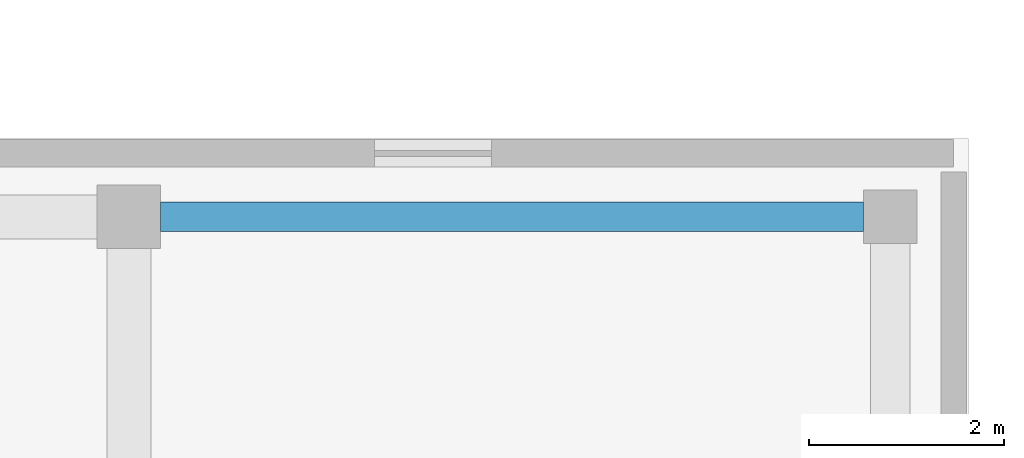
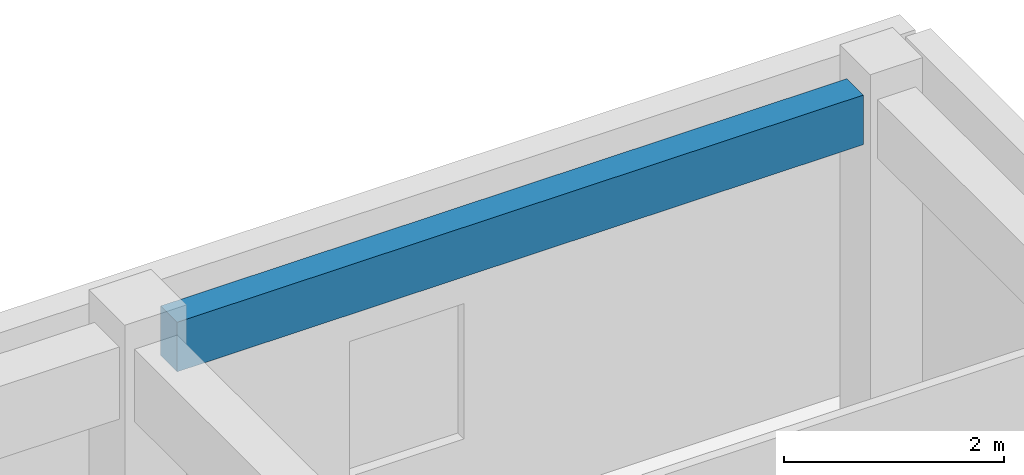
# One storey, part 61 of 146: 1 beam.
"""IFC4 building model written with IfcOpenShell, lengths in metres."""

from ifc_helpers import new_model, si_unit, direction, frame, origin, origin_2d, place, context, subcontext, project, spatial, rectangle, extrude, material, material_profile, profile_set, type_object, element, save


model = new_model("IFC4")

# Units and contexts
model_context = context("Model", 3, precision=1e-05, world=origin(), true_north=direction((0.0, 1.0)))
body_context = subcontext(model_context, "Body", "Model", "MODEL_VIEW")
ifc_project = project(units=[si_unit("LENGTHUNIT", "METRE"), si_unit("AREAUNIT", "SQUARE_METRE"), si_unit("VOLUMEUNIT", "CUBIC_METRE"), si_unit("PLANEANGLEUNIT", "RADIAN"), si_unit("MASSUNIT", "GRAM", prefix="KILO")], contexts=[model_context])

# Site, building, storey
site_placement = place(None, origin())
site = spatial("IfcSite", under=ifc_project, at=site_placement, CompositionType="ELEMENT")
building_placement = place(site_placement, origin())
building = spatial("IfcBuilding", under=site, at=building_placement, Name="Valcora Specialist Clinic", CompositionType="ELEMENT")
storey_placement = place(building_placement, frame((0.0, 0.0, 9.52001953125)))
storey = spatial("IfcBuildingStorey", under=building, at=storey_placement, Name="L02", CompositionType="ELEMENT", Elevation=9.52001953125)

# Beam
ifc_material = material(Name="Concrete C40/50", Category="concrete")
ifc_material_profile = material_profile(ifc_material, rectangle(XDim=0.300048828125, YDim=0.550048828125, at=origin_2d()), Name="RC-BM-300X550")
ifc_profile_set = profile_set([ifc_material_profile], Name="Concrete C40/50")
beam_type = type_object("IfcBeamType", Name="TY-BM-RC300X550", PredefinedType="BEAM", material=ifc_profile_set)
beam_placement = place(storey_placement, frame((107.52490234375, 22.0, 3.5048828125), z_axis=(1.0, 0.0, 0.0), x_axis=(0.0, 1.0, 0.0)))
element("IfcBeam", 1, at=beam_placement, inside=storey, type_object=beam_type, Name="Beam BM-L02-1393", PredefinedType="BEAM", context=body_context, shape_type="SweptSolid", body=[
    extrude(rectangle(XDim=0.300048828125, YDim=0.550048828125, at=origin_2d()), origin(), (0.0, 0.0, 1.0), 7.2001953125),
])

save(model, "model.ifc")
